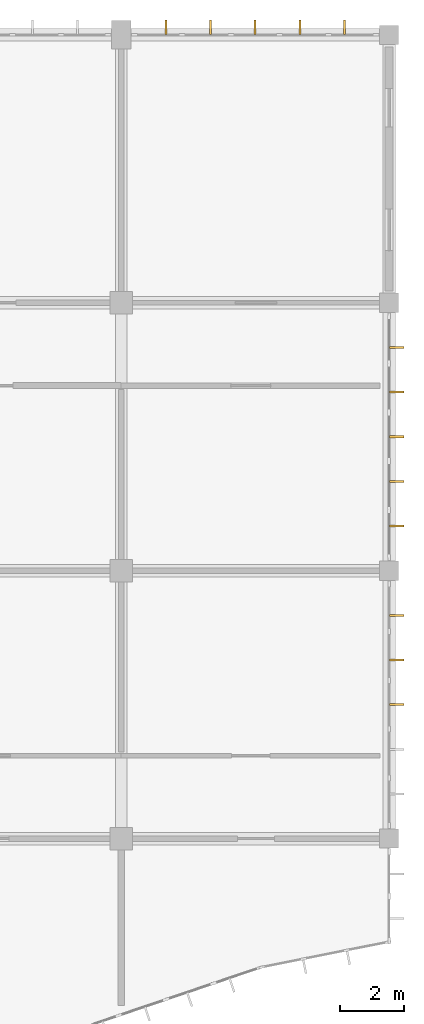
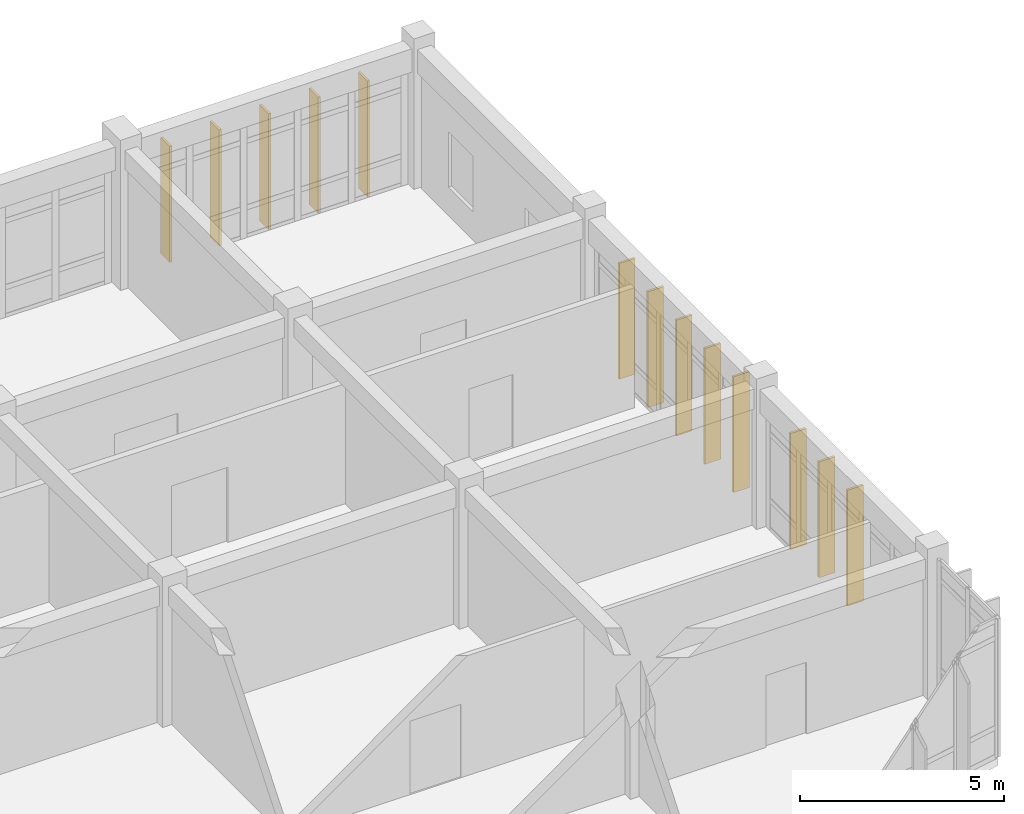
# One storey, part 144 of 144: 13 shading devices.
"""IFC4 building model written with IfcOpenShell, lengths in metres."""

from ifc_helpers import new_model, si_unit, direction, frame, origin, origin_2d, place, context, subcontext, project, spatial, rectangle, extrude, material, material_profile, profile_set, type_object, element, save


model = new_model("IFC4")

# Units and contexts
model_context = context("Model", 3, precision=1e-05, world=origin(), true_north=direction((0.0, 1.0)))
body_context = subcontext(model_context, "Body", "Model", "MODEL_VIEW")
ifc_project = project(units=[si_unit("LENGTHUNIT", "METRE"), si_unit("AREAUNIT", "SQUARE_METRE"), si_unit("VOLUMEUNIT", "CUBIC_METRE"), si_unit("PLANEANGLEUNIT", "RADIAN"), si_unit("MASSUNIT", "GRAM", prefix="KILO")], contexts=[model_context])

# Site, building, storey
site_placement = place(None, origin())
site = spatial("IfcSite", under=ifc_project, at=site_placement, CompositionType="ELEMENT")
building_placement = place(site_placement, origin())
building = spatial("IfcBuilding", under=site, at=building_placement, Name="Bramfleet General Hospital", CompositionType="ELEMENT")
storey_placement = place(building_placement, frame((0.0, 0.0, 4.800048828125)))
storey = spatial("IfcBuildingStorey", under=building, at=storey_placement, Name="L01", CompositionType="ELEMENT", Elevation=4.800048828125)

# Shading devices
ifc_material = material(Name="Treated European larch timber", Category="wood")
ifc_material_profile = material_profile(ifc_material, rectangle(XDim=0.06494140625, YDim=0.449951171875, at=origin_2d()), Name="LARCH FIN 450x65")
ifc_profile_set = profile_set([ifc_material_profile], Name="Treated European larch timber")
shading_device_type = type_object("IfcShadingDeviceType", Name="SHD-FIN-450", PredefinedType="USERDEFINED", material=ifc_profile_set)
for number, where, z_axis, x_axis, name in (
    (1, (161.0, 117.840087890625, -0.02001953125), (0.0, 0.0, 1.0), (1.0, 0.0, 0.0), "L01 Larch Timber Shading Fin 189"),
    (2, (162.39990234375, 117.840087890625, -0.02001953125), (0.0, 0.0, 1.0), (1.0, 0.0, 0.0), "L01 Larch Timber Shading Fin 190"),
    (3, (163.800048828125, 117.840087890625, -0.02001953125), (0.0, 0.0, 1.0), (1.0, 0.0, 0.0), "L01 Larch Timber Shading Fin 191"),
    (4, (165.199951171875, 117.840087890625, -0.02001953125), (0.0, 0.0, 1.0), (1.0, 0.0, 0.0), "L01 Larch Timber Shading Fin 192"),
    (5, (166.60009765625, 117.840087890625, -0.02001953125), (0.0, 0.0, 1.0), (1.0, 0.0, 0.0), "L01 Larch Timber Shading Fin 193"),
    (6, (168.239990234375, 107.800048828125, -0.02001953125), (0.0, 0.0, 1.0), (0.0, -1.0, 0.0), "L01 Larch Timber Shading Fin 194"),
    (7, (168.239990234375, 106.39990234375, -0.02001953125), (0.0, 0.0, 1.0), (0.0, -1.0, 0.0), "L01 Larch Timber Shading Fin 195"),
    (8, (168.239990234375, 105.0, -0.02001953125), (0.0, 0.0, 1.0), (0.0, -1.0, 0.0), "L01 Larch Timber Shading Fin 196"),
    (9, (168.239990234375, 103.60009765625, -0.02001953125), (0.0, 0.0, 1.0), (0.0, -1.0, 0.0), "L01 Larch Timber Shading Fin 197"),
    (10, (168.239990234375, 102.199951171875, -0.02001953125), (0.0, 0.0, 1.0), (0.0, -1.0, 0.0), "L01 Larch Timber Shading Fin 198"),
    (11, (168.239990234375, 99.39990234375, -0.02001953125), (0.0, 0.0, 1.0), (0.0, -1.0, 0.0), "L01 Larch Timber Shading Fin 199"),
    (12, (168.239990234375, 98.0, -0.02001953125), (0.0, 0.0, 1.0), (0.0, -1.0, 0.0), "L01 Larch Timber Shading Fin 200"),
    (13, (168.239990234375, 96.60009765625, -0.02001953125), (0.0, 0.0, 1.0), (0.0, -1.0, 0.0), "L01 Larch Timber Shading Fin 201"),
):
    element("IfcShadingDevice", number, at=place(storey_placement, frame(where, z_axis=z_axis, x_axis=x_axis)), inside=storey, type_object=shading_device_type, Name=name, ObjectType="Fin", PredefinedType="USERDEFINED", context=body_context, shape_type="SweptSolid", body=[
        extrude(rectangle(XDim=0.06494140625, YDim=0.449951171875, at=origin_2d()), origin(), (0.0, 0.0, 1.0), 3.469970703125),
    ])

save(model, "model.ifc")
